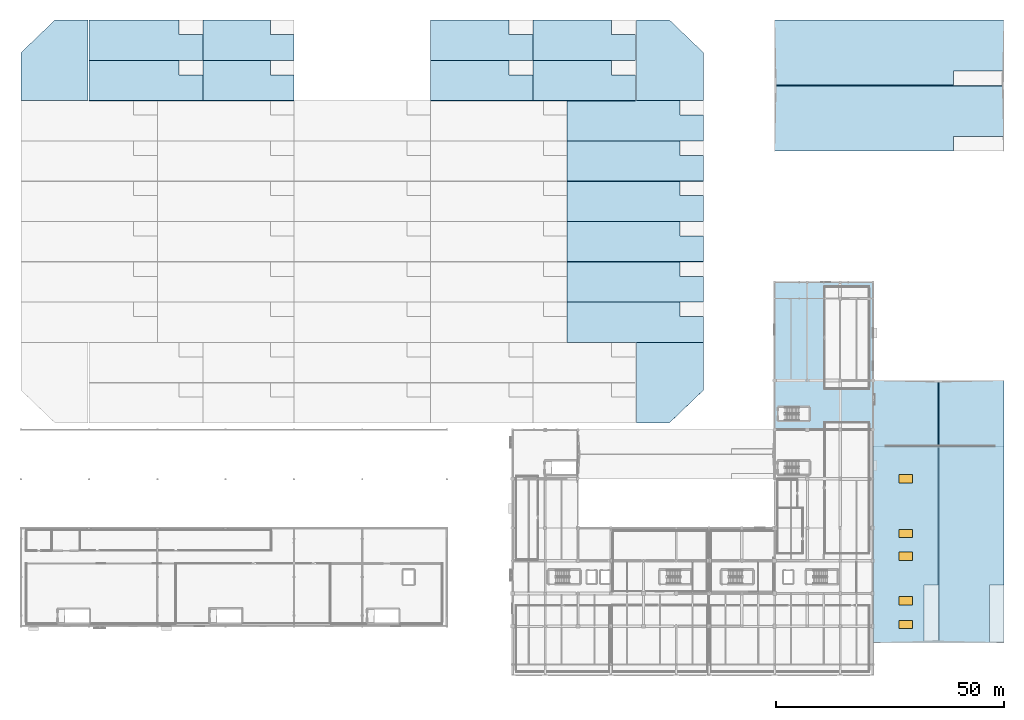
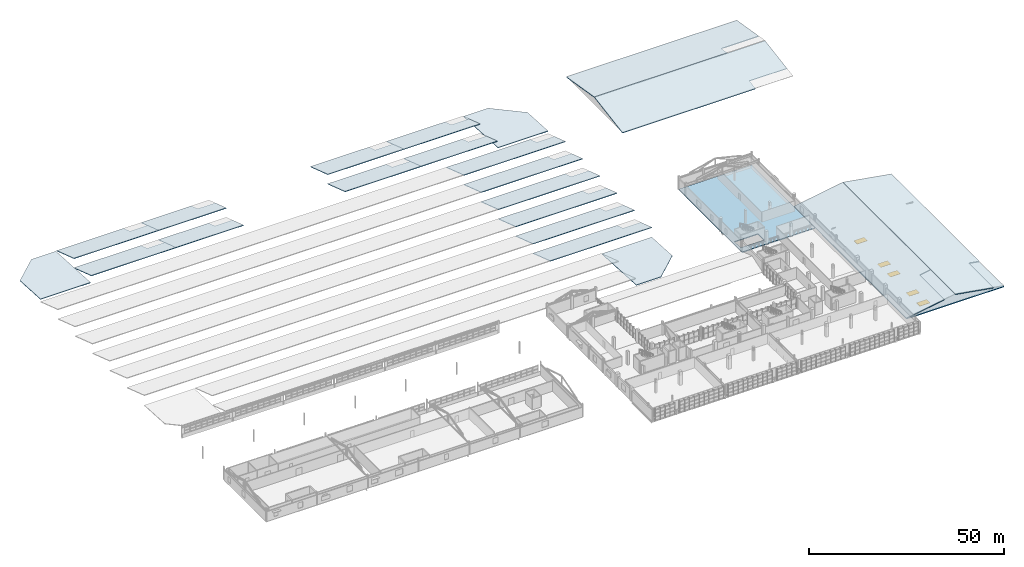
# One storey, part 53 of 90: 23 slabs, 5 windows, 5 openings.
"""IFC4 building model written with IfcOpenShell, lengths in metres."""

from ifc_helpers import new_model, si_unit, direction, frame, origin, origin_2d, place, context, subcontext, project, spatial, polyline, rectangle, outline, extrude, material, layer, layer_set, type_object, element, fill, save


model = new_model("IFC4")

# Units and contexts
model_context = context("Model", 3, precision=1e-05, world=origin(), true_north=direction((0.0, 1.0)))
body_context = subcontext(model_context, "Body", "Model", "MODEL_VIEW")
ifc_project = project(units=[si_unit("LENGTHUNIT", "METRE"), si_unit("AREAUNIT", "SQUARE_METRE"), si_unit("VOLUMEUNIT", "CUBIC_METRE"), si_unit("PLANEANGLEUNIT", "RADIAN"), si_unit("MASSUNIT", "GRAM", prefix="KILO")], contexts=[model_context])

# Site, building, storey
site_placement = place(None, origin())
site = spatial("IfcSite", under=ifc_project, at=site_placement, CompositionType="ELEMENT")
building_placement = place(site_placement, origin())
building = spatial("IfcBuilding", under=site, at=building_placement, Name="Solanera Park Tramway Depot", CompositionType="ELEMENT")
storey_placement = place(building_placement, frame((0.0, 0.0, 9.0)))
storey = spatial("IfcBuildingStorey", under=building, at=storey_placement, Name="L02", CompositionType="ELEMENT", Elevation=9.0)

# Slabs
ifc_material_1 = material(Name="Concrete N40 (C40/50)", Category="concrete")
ifc_layer_1 = layer(ifc_material_1, 0.27490234375)
ifc_layer_set_1 = layer_set([ifc_layer_1], Name="Concrete N40 (C40/50)")
slab_type_1 = type_object("IfcSlabType", Name="Slab Floor 275", PredefinedType="FLOOR", material=ifc_layer_set_1)
slab_1_placement = place(storey_placement, frame((0.0, 0.0, -0.27490234375)))
element("IfcSlab", 1, at=slab_1_placement, inside=storey, type_object=slab_type_1, Name="L02 Structural Slab SL-L02-V4EN", PredefinedType="FLOOR", context=body_context, shape_type="SweptSolid", body=[
    extrude(outline(polyline([(165.60009765625, 54.0), (165.60009765625, 86.39990234375), (187.199951171875, 86.39990234375), (187.199951171875, 54.0), (165.60009765625, 54.0)]), holes=[polyline([(173.199951171875, 59.02490234375), (166.27490234375, 59.02490234375), (166.27490234375, 55.875), (173.199951171875, 55.875), (173.199951171875, 59.02490234375)])]), origin(), (0.0, 0.0, 1.0), 0.27490234375),
])
ifc_material_2 = material(Name="Concrete N40 (C40/50)", Category="concrete")
ifc_layer_2 = layer(ifc_material_2, 0.159912109375)
ifc_layer_set_2 = layer_set([ifc_layer_2], Name="Concrete N40 (C40/50)")
slab_type_2 = type_object("IfcSlabType", Name="Slab Roof 160", PredefinedType="ROOF", material=ifc_layer_set_2)
slab_2_placement = place(storey_placement, frame((120.0, 73.199951171875, 1.561279296875), z_axis=(2.106977e-06, 0.317304993117, 0.948323542541), x_axis=(0.999999999998, -6.68554e-07, -1.998096e-06)))
element("IfcSlab", 2, at=slab_2_placement, inside=storey, type_object=slab_type_2, Name="Sawtooth Sloped Roof Slab Bay 03.5", PredefinedType="ROOF", context=body_context, shape_type="SweptSolid", body=[
    extrude(outline(polyline([(0.0, 0.0), (29.99999999993341, 3.1763735522036263e-21), (30.000000000153605, 5.958071682566316), (24.800048828290144, 5.958071682566316), (24.800048828023783, 9.33235368133121), (-4.616884194204085e-11, 9.33235368133121), (0.0, 0.0)])), origin(), (0.0, 0.0, -1.0), 0.159912109375),
])
slab_3_placement = place(storey_placement, frame((120.0, 82.050048828125, 1.561279296875), z_axis=(2.60503e-06, 0.317313391607, 0.9483207324), x_axis=(0.999999999997, -8.26611e-07, -2.470404e-06)))
element("IfcSlab", 3, at=slab_3_placement, inside=storey, type_object=slab_type_2, Name="Sawtooth Sloped Roof Slab Bay 04.5", PredefinedType="ROOF", context=body_context, shape_type="SweptSolid", body=[
    extrude(outline(polyline([(0.0, 0.0), (29.999999999898208, 0.0), (30.000000000234802, 5.95784015964188), (24.800048828377445, 5.95784015964188), (24.800048827970276, 9.332122157154863), (-7.057563243026259e-11, 9.332122157154863), (0.0, 0.0)])), origin(), (0.0, 0.0, -1.0), 0.159912109375),
])
slab_4_placement = place(storey_placement, frame((120.0, 90.89990234375, 1.561279296875), z_axis=(2.106977e-06, 0.317304993117, 0.948323542541), x_axis=(0.999999999998, -6.68554e-07, -1.998096e-06)))
element("IfcSlab", 4, at=slab_4_placement, inside=storey, type_object=slab_type_2, Name="Sawtooth Sloped Roof Slab Bay 05.5", PredefinedType="ROOF", context=body_context, shape_type="SweptSolid", body=[
    extrude(outline(polyline([(0.0, 0.0), (29.99999999993341, 3.1763735522036263e-21), (30.000000000153605, 5.958071682566316), (24.800048828290144, 5.958071682566316), (24.800048828023783, 9.33235368133121), (-4.616884194204085e-11, 9.33235368133121), (0.0, 0.0)])), origin(), (0.0, 0.0, -1.0), 0.159912109375),
])
slab_5_placement = place(storey_placement, frame((120.0, 99.75, 1.561279296875), z_axis=(3.484427e-06, 0.317306448811, 0.948323055467), x_axis=(0.999999999994, -1.105631e-06, -3.304362e-06)))
element("IfcSlab", 5, at=slab_5_placement, inside=storey, type_object=slab_type_2, Name="Sawtooth Sloped Roof Slab Bay 06.5", PredefinedType="ROOF", context=body_context, shape_type="SweptSolid", body=[
    extrude(outline(polyline([(0.0, 0.0), (29.99999999981788, 0.0), (30.000000000420087, 5.957840158536251), (24.800048828576656, 5.957840158536251), (24.800048827848183, 9.332353681286579), (-1.2626762391843352e-10, 9.332353681286579), (0.0, 0.0)])), origin(), (0.0, 0.0, -1.0), 0.159912109375),
])
slab_6_placement = place(storey_placement, frame((120.0, 108.60009765625, 1.561279296875), z_axis=(2.60503e-06, 0.317313391607, 0.9483207324), x_axis=(0.999999999997, -8.26611e-07, -2.470404e-06)))
element("IfcSlab", 6, at=slab_6_placement, inside=storey, type_object=slab_type_2, Name="Sawtooth Sloped Roof Slab Bay 07.5", PredefinedType="ROOF", context=body_context, shape_type="SweptSolid", body=[
    extrude(outline(polyline([(0.0, 0.0), (29.999999999898208, 0.0), (30.000000000234802, 5.95784015964188), (24.800048828377445, 5.95784015964188), (24.800048827970276, 9.332122157154863), (-7.057563243026259e-11, 9.332122157154863), (0.0, 0.0)])), origin(), (0.0, 0.0, -1.0), 0.159912109375),
])
slab_7_placement = place(storey_placement, frame((120.0, 117.449951171875, 1.561279296875), z_axis=(2.106977e-06, 0.317304993117, 0.948323542541), x_axis=(0.999999999998, -6.68554e-07, -1.998096e-06)))
element("IfcSlab", 7, at=slab_7_placement, inside=storey, type_object=slab_type_2, Name="Sawtooth Sloped Roof Slab Bay 08.5", PredefinedType="ROOF", context=body_context, shape_type="SweptSolid", body=[
    extrude(outline(polyline([(0.0, 0.0), (29.99999999993341, 3.1763735522036263e-21), (30.000000000153605, 5.958071682566316), (24.800048828290144, 5.958071682566316), (24.800048828023783, 9.33235368133121), (-4.616884194204085e-11, 9.33235368133121), (0.0, 0.0)])), origin(), (0.0, 0.0, -1.0), 0.159912109375),
])
slab_8_placement = place(storey_placement, frame((15.0, 126.300048828125, 1.561279296875), z_axis=(3.168406e-06, 0.317313986998, 0.948320533177), x_axis=(0.999999999995, -1.00538e-06, -3.004665e-06)))
element("IfcSlab", 8, at=slab_8_placement, inside=storey, type_object=slab_type_2, Name="Sawtooth Sloped Roof Slab Bay 09.1", PredefinedType="ROOF", context=body_context, shape_type="SweptSolid", body=[
    extrude(outline(polyline([(0.0, 0.0), (24.999999999874518, -5.293955920339377e-21), (25.000000000272056, 5.957840159721829), (19.800048828423154, 5.957840159721829), (19.800048827921213, 9.332122157136016), (-1.044025189668045e-10, 9.332122157136016), (0.0, 0.0)])), origin(), (0.0, 0.0, -1.0), 0.159912109375),
])
slab_9_placement = place(storey_placement, frame((40.0, 126.300048828125, 1.561279296875), z_axis=(4.042699e-06, 0.317314910973, 0.948320224005), x_axis=(0.999999999992, -1.282809e-06, -3.833774e-06)))
element("IfcSlab", 9, at=slab_9_placement, inside=storey, type_object=slab_type_2, Name="Sawtooth Sloped Roof Slab Bay 09.2", PredefinedType="ROOF", context=body_context, shape_type="SweptSolid", body=[
    extrude(outline(polyline([(0.0, 0.0), (19.999999999836568, 0.0), (20.000000000320334, 5.957840159841249), (14.800048828487826, 5.957840159841249), (14.80004882783409, 9.332122157099482), (-1.6996995201444987e-10, 9.332122157099482), (0.0, 0.0)])), origin(), (0.0, 0.0, -1.0), 0.159912109375),
])
for number, where, z_axis, x_axis, name in (
    (10, (90.0, 126.300048828125, 1.561279296875), (3.552552e-06, 0.317314392973, 0.948320397334), (0.999999999994, -1.127276e-06, -3.368958e-06), "Sawtooth Sloped Roof Slab Bay 09.4"),
    (11, (112.5, 126.300048828125, 1.561279296875), (3.552552e-06, 0.317314392973, 0.948320397334), (0.999999999994, -1.127276e-06, -3.368958e-06), "Sawtooth Sloped Roof Slab Bay 09.5"),
):
    element("IfcSlab", number, at=place(storey_placement, frame(where, z_axis=z_axis, x_axis=x_axis)), inside=storey, type_object=slab_type_2, Name=name, PredefinedType="ROOF", context=body_context, shape_type="SweptSolid", body=[
        extrude(outline(polyline([(0.0, 0.0), (22.49999999985802, 0.0), (22.500000000294694, 5.957840159774995), (17.300048828452507, 5.957840159774995), (17.30004882788458, 9.332122157121052), (-1.312532755431869e-10, 9.332122157121052), (0.0, 0.0)])), origin(), (0.0, 0.0, -1.0), 0.159912109375),
    ])
slab_10_placement = place(storey_placement, frame((15.0, 135.14990234375, 1.561279296875), z_axis=(2.562641e-06, 0.317305474665, 0.948323381417), x_axis=(0.999999999997, -8.1314e-07, -2.430213e-06)))
element("IfcSlab", 12, at=slab_10_placement, inside=storey, type_object=slab_type_2, Name="Sawtooth Sloped Roof Slab Bay 10.1", PredefinedType="ROOF", context=body_context, shape_type="SweptSolid", body=[
    extrude(outline(polyline([(0.0, 0.0), (24.99999999991791, 2.6469779601696886e-21), (25.00000000017797, 5.958071682618614), (19.800048828320044, 5.958071682618614), (19.800048827991688, 9.332353681318878), (-6.829750967061971e-11, 9.332353681318878), (0.0, 0.0)])), origin(), (0.0, 0.0, -1.0), 0.159912109375),
])
slab_11_placement = place(storey_placement, frame((40.0, 135.14990234375, 1.561279296875), z_axis=(3.269777e-06, 0.317306221968, 0.948323131369), x_axis=(0.999999999995, -1.037521e-06, -3.100805e-06)))
element("IfcSlab", 13, at=slab_11_placement, inside=storey, type_object=slab_type_2, Name="Sawtooth Sloped Roof Slab Bay 10.2", PredefinedType="ROOF", context=body_context, shape_type="SweptSolid", body=[
    extrude(outline(polyline([(0.0, 0.0), (19.999999999893085, 4.235164736271502e-21), (20.000000000209553, 5.958071682696734), (14.800048828362351, 5.958071682696734), (14.800048827934694, 9.332353681294977), (-1.1118995624772525e-10, 9.332353681294977), (0.0, 0.0)])), origin(), (0.0, 0.0, -1.0), 0.159912109375),
])
for number, where, z_axis, x_axis, name in (
    (14, (90.0, 135.14990234375, 1.561279296875), (2.873342e-06, 0.317305803014, 0.948323271551), (0.999999999996, -9.11728e-07, -2.724857e-06), "Sawtooth Sloped Roof Slab Bay 10.4"),
    (15, (112.5, 135.14990234375, 1.561279296875), (2.873342e-06, 0.317305803014, 0.948323271551), (0.999999999996, -9.11728e-07, -2.724857e-06), "Sawtooth Sloped Roof Slab Bay 10.5"),
):
    element("IfcSlab", number, at=place(storey_placement, frame(where, z_axis=z_axis, x_axis=x_axis)), inside=storey, type_object=slab_type_2, Name=name, PredefinedType="ROOF", context=body_context, shape_type="SweptSolid", body=[
        extrude(outline(polyline([(0.0, 0.0), (22.499999999907118, 2.3822801641527197e-21), (22.50000000019278, 5.958071682653394), (17.300048828339246, 5.958071682653394), (17.30004882796772, 9.33235368130909), (-8.58625592450006e-11, 9.33235368130909), (0.0, 0.0)])), origin(), (0.0, 0.0, -1.0), 0.159912109375),
    ])
slab_12_placement = place(storey_placement, frame((135.219970703125, 55.5, -0.550048828125), z_axis=(-1.496837e-06, 0.056408010238, 0.99840780064), x_axis=(0.999999999999, 8.4434e-08, 1.494454e-06)))
element("IfcSlab", 16, at=slab_12_placement, inside=storey, type_object=slab_type_2, Name="V1 Chamfered Corner Roof Slab SE", PredefinedType="ROOF", context=body_context, shape_type="SweptSolid", body=[
    extrude(outline(polyline([(0.0, 0.0), (7.280029296866845, 0.0), (14.780029296924672, 7.211430711367934), (14.780029296875245, 17.728177331204503), (1.6803915003601907e-11, 17.728177331204503), (0.0, 0.0)])), origin(), (0.0, 0.0, -1.0), 0.159912109375),
])
slab_13_placement = place(storey_placement, frame((0.0, 126.300048828125, -0.550048828125), z_axis=(-1.496837e-06, 0.056408010238, 0.99840780064), x_axis=(0.999999999999, 8.4434e-08, 1.494454e-06)))
element("IfcSlab", 17, at=slab_13_placement, inside=storey, type_object=slab_type_2, Name="V1 Chamfered Corner Roof Slab NW", PredefinedType="ROOF", context=body_context, shape_type="SweptSolid", body=[
    extrude(outline(polyline([(0.0, 0.0), (14.780029296858443, 0.0), (14.780029296875245, 17.728177331204503), (7.500000000008403, 17.728177331204503), (-4.942604661152109e-11, 10.516746619836567), (0.0, 0.0)])), origin(), (0.0, 0.0, -1.0), 0.159912109375),
])
slab_14_placement = place(storey_placement, frame((135.219970703125, 126.300048828125, -0.550048828125), z_axis=(1.496837e-06, 0.056408010238, 0.99840780064), x_axis=(0.999999999999, -8.4434e-08, -1.494454e-06)))
element("IfcSlab", 18, at=slab_14_placement, inside=storey, type_object=slab_type_2, Name="V1 Chamfered Corner Roof Slab NE", PredefinedType="ROOF", context=body_context, shape_type="SweptSolid", body=[
    extrude(outline(polyline([(0.0, 0.0), (14.780029296858443, 0.0), (14.780029296907868, 10.516746619836567), (7.28002929685004, 17.728177331204503), (-1.6803915003601907e-11, 17.728177331204503), (0.0, 0.0)])), origin(), (0.0, 0.0, -1.0), 0.159912109375),
])
ifc_material_3 = material(Name="Concrete N40 (C40/50)", Category="concrete")
ifc_layer_3 = layer(ifc_material_3, 0.179931640625)
ifc_layer_set_3 = layer_set([ifc_layer_3], Name="Concrete N40 (C40/50)")
slab_type_3 = type_object("IfcSlabType", Name="Slab Roof 180", PredefinedType="ROOF", material=ifc_layer_set_3)
for number, where, z_axis, x_axis, name in (
    (19, (165.60009765625, 115.199951171875, 0.1845703125), (8.03334e-07, -0.16408954691, 0.986445447348), (1.0, 1.31819e-07, -7.92445e-07), "Pitched Roof Slab V3-RF.1"),
    (20, (165.60009765625, 129.66796875, 2.568603515625), (-8.03334e-07, 0.16408954691, 0.986445447348), (1.0, 1.31819e-07, 7.92445e-07), "Pitched Roof Slab V3-RF.2"),
):
    element("IfcSlab", number, at=place(storey_placement, frame(where, z_axis=z_axis, x_axis=x_axis)), inside=storey, type_object=slab_type_3, Name=name, PredefinedType="ROOF", context=body_context, shape_type="SweptSolid", body=[
        extrude(outline(polyline([(0.0, 0.0), (39.31201171873732, 0.0), (39.31201171880237, 3.196388500798449), (50.39990234379879, 3.196388500798449), (50.39990234374805, 14.528961905940205), (1.43110506599082e-11, 14.528961905940205), (0.0, 0.0)])), origin(), (0.0, 0.0, -1.0), 0.179931640625),
    ])
slab_15_placement = place(storey_placement, frame((187.199951171875, 7.199951171875, 0.1845703125), z_axis=(-0.16742192364, 4.39956e-07, 0.985885337899), x_axis=(0.985885337899, -2e-12, 0.16742192364)))
element("IfcSlab", 21, at=slab_15_placement, inside=storey, type_object=slab_type_3, Name="Pitched Roof Slab V5-RF.1", PredefinedType="ROOF", context=body_context, shape_type="SweptSolid", body=[
    extrude(outline(polyline([(0.0, 0.0), (11.33900796271791, 1.0587911840678754e-22), (11.339007962698473, 12.672119140623773), (14.537217293145517, 12.672119140650977), (14.537217293076601, 57.60009765627163), (-8.83515579217229e-11, 57.60009765624442), (0.0, 0.0)])), origin(), (0.0, 0.0, -1.0), 0.179931640625),
])
slab_16_placement = place(storey_placement, frame((201.66796875, 7.199951171875, 2.618408203125), z_axis=(0.167418149796, 1.755675e-06, 0.98588597876), x_axis=(0.985885978762, -2.4e-11, -0.167418149797)))
element("IfcSlab", 22, at=slab_16_placement, inside=storey, type_object=slab_type_3, Name="Pitched Roof Slab V5-RF.2", PredefinedType="ROOF", context=body_context, shape_type="SweptSolid", body=[
    extrude(outline(polyline([(0.0, 0.0), (11.338967088911783, 0.0), (11.338967088602248, 12.672119140605469), (14.537217292791597, 12.672119141038683), (14.537217291694162, 57.600097656594436), (-1.4069699521632716e-09, 57.600097656161225), (0.0, 0.0)])), origin(), (0.0, 0.0, -1.0), 0.179931640625),
])

# Slab, openings, windows
ifc_material_4 = material(Name="Concrete N40 (C40/50)", Category="concrete")
ifc_layer_4 = layer(ifc_material_4, 0.199951171875)
ifc_layer_set_4 = layer_set([ifc_layer_4], Name="Concrete N40 (C40/50)")
slab_type_4 = type_object("IfcSlabType", Name="Slab Roof 200", PredefinedType="ROOF", material=ifc_layer_set_4)
slab_17_placement = place(storey_placement, frame((0.0, 0.0, -0.199951171875)))
slab_17 = element("IfcSlab", 23, at=slab_17_placement, inside=storey, type_object=slab_type_4, Name="V5 Archive Skylight Deck Slab", PredefinedType="ROOF", context=body_context, shape_type="SweptSolid", body=[
    extrude(outline(polyline([(187.199951171875, 7.199951171875), (216.0, 7.199951171875), (216.0, 50.39990234375), (187.199951171875, 50.39990234375), (187.199951171875, 7.199951171875)])), origin(), (0.0, 0.0, 1.0), 0.199951171875),
])
opening_1_placement = place(slab_17_placement, frame((194.39990234375, 11.199951171875, -0.010009765625)))
opening_1 = element("IfcOpeningElement", 24, at=opening_1_placement, cuts=slab_17, Name="Opening SK-30", PredefinedType="OPENING", context=body_context, shape_type="SweptSolid", body=[
    extrude(rectangle(XDim=3.0, YDim=1.800048828125, at=origin_2d()), origin(), (0.0, 0.0, 1.0), 0.219970703125),
])
opening_2_placement = place(slab_17_placement, frame((194.39990234375, 16.39990234375, -0.010009765625)))
opening_2 = element("IfcOpeningElement", 25, at=opening_2_placement, cuts=slab_17, Name="Opening SK-30", PredefinedType="OPENING", context=body_context, shape_type="SweptSolid", body=[
    extrude(rectangle(XDim=3.0, YDim=1.800048828125, at=origin_2d()), origin(), (0.0, 0.0, 1.0), 0.219970703125),
])
opening_3_placement = place(slab_17_placement, frame((194.39990234375, 26.199951171875, -0.010009765625)))
opening_3 = element("IfcOpeningElement", 26, at=opening_3_placement, cuts=slab_17, Name="Opening SK-30", PredefinedType="OPENING", context=body_context, shape_type="SweptSolid", body=[
    extrude(rectangle(XDim=3.0, YDim=1.800048828125, at=origin_2d()), origin(), (0.0, 0.0, 1.0), 0.219970703125),
])
opening_4_placement = place(slab_17_placement, frame((194.39990234375, 31.199951171875, -0.010009765625)))
opening_4 = element("IfcOpeningElement", 27, at=opening_4_placement, cuts=slab_17, Name="Opening SK-30", PredefinedType="OPENING", context=body_context, shape_type="SweptSolid", body=[
    extrude(rectangle(XDim=3.0, YDim=1.800048828125, at=origin_2d()), origin(), (0.0, 0.0, 1.0), 0.219970703125),
])
opening_5_placement = place(slab_17_placement, frame((194.39990234375, 43.199951171875, -0.010009765625)))
opening_5 = element("IfcOpeningElement", 28, at=opening_5_placement, cuts=slab_17, Name="Opening SK-30", PredefinedType="OPENING", context=body_context, shape_type="SweptSolid", body=[
    extrude(rectangle(XDim=3.0, YDim=1.800048828125, at=origin_2d()), origin(), (0.0, 0.0, 1.0), 0.219970703125),
])
ifc_material_5 = material(Name="Powder-coated aluminium frame with solar-control double glazing", Category="aluminium")
window_type = type_object("IfcWindowType", Name="Archive Roof Hatch Skylight 3000x1800", PartitioningType="SINGLE_PANEL", PredefinedType="SKYLIGHT", material=ifc_material_5)
window_1_placement = place(slab_17_placement, frame((194.39990234375, 11.199951171875, 0.14990234375)))
window_1 = element("IfcWindow", 29, at=window_1_placement, inside=storey, type_object=window_type, Name="Archive Roof Skylight #1", OverallHeight=1.800048828125, OverallWidth=3.0, PartitioningType="SINGLE_PANEL", PredefinedType="SKYLIGHT", context=body_context, shape_type="SweptSolid", body=[
    extrude(rectangle(XDim=3.0, YDim=1.800048828125, at=origin_2d()), origin(), (0.0, 0.0, 1.0), 0.050048828125),
])
fill(opening_1, window_1)
window_2_placement = place(slab_17_placement, frame((194.39990234375, 16.39990234375, 0.14990234375)))
window_2 = element("IfcWindow", 30, at=window_2_placement, inside=storey, type_object=window_type, Name="Archive Roof Skylight #2", OverallHeight=1.800048828125, OverallWidth=3.0, PartitioningType="SINGLE_PANEL", PredefinedType="SKYLIGHT", context=body_context, shape_type="SweptSolid", body=[
    extrude(rectangle(XDim=3.0, YDim=1.800048828125, at=origin_2d()), origin(), (0.0, 0.0, 1.0), 0.050048828125),
])
fill(opening_2, window_2)
window_3_placement = place(slab_17_placement, frame((194.39990234375, 26.199951171875, 0.14990234375)))
window_3 = element("IfcWindow", 31, at=window_3_placement, inside=storey, type_object=window_type, Name="Archive Roof Skylight #3", OverallHeight=1.800048828125, OverallWidth=3.0, PartitioningType="SINGLE_PANEL", PredefinedType="SKYLIGHT", context=body_context, shape_type="SweptSolid", body=[
    extrude(rectangle(XDim=3.0, YDim=1.800048828125, at=origin_2d()), origin(), (0.0, 0.0, 1.0), 0.050048828125),
])
fill(opening_3, window_3)
window_4_placement = place(slab_17_placement, frame((194.39990234375, 31.199951171875, 0.14990234375)))
window_4 = element("IfcWindow", 32, at=window_4_placement, inside=storey, type_object=window_type, Name="Archive Roof Skylight #4", OverallHeight=1.800048828125, OverallWidth=3.0, PartitioningType="SINGLE_PANEL", PredefinedType="SKYLIGHT", context=body_context, shape_type="SweptSolid", body=[
    extrude(rectangle(XDim=3.0, YDim=1.800048828125, at=origin_2d()), origin(), (0.0, 0.0, 1.0), 0.050048828125),
])
fill(opening_4, window_4)
window_5_placement = place(slab_17_placement, frame((194.39990234375, 43.199951171875, 0.14990234375)))
window_5 = element("IfcWindow", 33, at=window_5_placement, inside=storey, type_object=window_type, Name="Archive Roof Skylight #5", OverallHeight=1.800048828125, OverallWidth=3.0, PartitioningType="SINGLE_PANEL", PredefinedType="SKYLIGHT", context=body_context, shape_type="SweptSolid", body=[
    extrude(rectangle(XDim=3.0, YDim=1.800048828125, at=origin_2d()), origin(), (0.0, 0.0, 1.0), 0.050048828125),
])
fill(opening_5, window_5)

save(model, "model.ifc")
